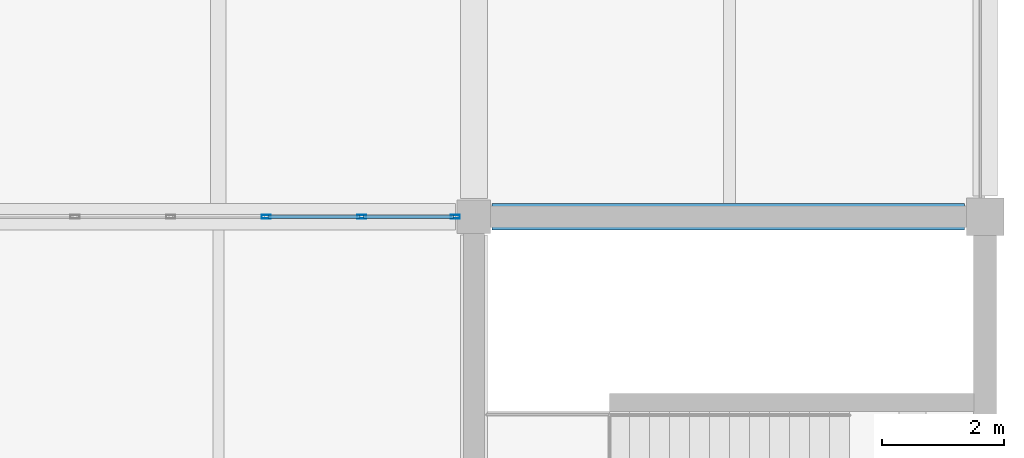
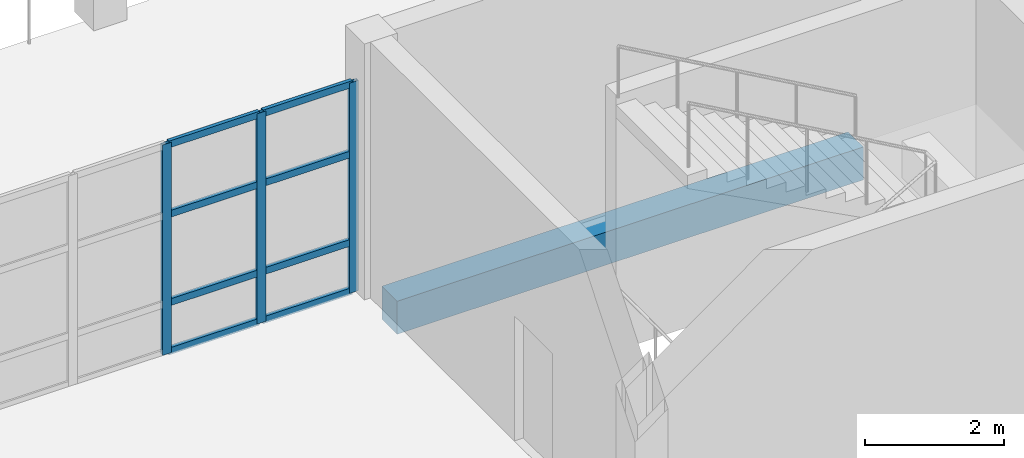
# One storey, part 28 of 67: 11 members, 1 beam, 1 element without a shape of its own.
"""IFC4 building model written with IfcOpenShell, lengths in metres."""

import ifcopenshell
import ifcopenshell.guid

model = None  # the IFC model being written
_history = None  # IfcOwnerHistory: only IFC2X3 demands one
_inside = {}  # id of a spatial element -> (the spatial element, [elements in it])
_under = {}  # id of a project, library or spatial element -> (it, [spatial elements below it])
_declared = {}  # id of a project -> (the project, [libraries it declares])
_typed = {}  # id of a type object -> (the type object, [elements of that type])
_made_of = {}  # id of a material, layer set ... -> (it, [elements and type objects made of it])


def new_model(schema):
    """Start an empty IFC model of exactly this schema.

    Asked for "IFC4X3", IfcOpenShell would pick the latest addendum, in which some entities
    have other attributes; the version numbers below select the first issue.
    IFC2X3 requires an IfcOwnerHistory on every rooted entity: one is made here for all.
    """
    global model, _history
    if schema == "IFC4X3":
        model = ifcopenshell.file(schema_version=(4, 3, 0, 0))
    else:
        model = ifcopenshell.file(schema=schema)
    _inside.clear()
    _under.clear()
    _declared.clear()
    _typed.clear()
    _made_of.clear()
    _history = None
    if model.schema == "IFC2X3":
        org = make("IfcOrganization", Name="unknown")
        user = make(
            "IfcPersonAndOrganization",
            ThePerson=make("IfcPerson", FamilyName="unknown"),
            TheOrganization=org,
        )
        app = make(
            "IfcApplication",
            ApplicationDeveloper=org,
            Version="unknown",
            ApplicationFullName="unknown",
            ApplicationIdentifier="unknown",
        )
        _history = make(
            "IfcOwnerHistory",
            OwningUser=user,
            OwningApplication=app,
            ChangeAction="ADDED",
            CreationDate=0,
        )
    return model


def make(cls, **values):
    """One entity of the class cls with the attributes given. An attribute that is None is left unset."""
    return model.create_entity(
        cls, **{name: value for name, value in values.items() if value is not None}
    )


def rooted(cls, **values):
    """An entity with a GlobalId (a new one), such as an element, a storey or a relation."""
    return make(cls, GlobalId=ifcopenshell.guid.new(), OwnerHistory=_history, **values)


def si_unit(unit_type, name, prefix=None):
    """IfcSIUnit, for example si_unit("LENGTHUNIT", "METRE", prefix="MILLI")."""
    return make("IfcSIUnit", UnitType=unit_type, Prefix=prefix, Name=name)


def assignment(units):
    """IfcUnitAssignment: the units of a project."""
    return None if units is None else make("IfcUnitAssignment", Units=units)


def point(xyz):
    """IfcCartesianPoint."""
    return None if xyz is None else make("IfcCartesianPoint", Coordinates=xyz)


def direction(xyz):
    """IfcDirection."""
    return None if xyz is None else make("IfcDirection", DirectionRatios=xyz)


def frame(location, z_axis=None, x_axis=None):
    """IfcAxis2Placement3D, a coordinate frame: its origin and axes. An axis left out is left unset."""
    return make(
        "IfcAxis2Placement3D",
        Location=point(location),
        Axis=direction(z_axis),
        RefDirection=direction(x_axis),
    )


def frame_2d(location, x_axis=None):
    """IfcAxis2Placement2D, a coordinate frame in the plane: its origin and x axis."""
    return make(
        "IfcAxis2Placement2D", Location=point(location), RefDirection=direction(x_axis)
    )


def origin():
    """The frame at (0, 0, 0) with its axes left unset."""
    return frame((0.0, 0.0, 0.0))


def origin_2d():
    """The frame at (0, 0) in the plane with its x axis left unset."""
    return frame_2d((0.0, 0.0))


def place(relative_to, where):
    """IfcLocalPlacement: puts the frame where relative to a parent placement (None: the world)."""
    return make(
        "IfcLocalPlacement", PlacementRelTo=relative_to, RelativePlacement=where
    )


def context(
    kind, dimensions, precision=None, world=None, true_north=None, identifier=None
):
    """IfcGeometricRepresentationContext, for example the 3D "Model" context."""
    return make(
        "IfcGeometricRepresentationContext",
        ContextIdentifier=identifier,
        ContextType=kind,
        CoordinateSpaceDimension=dimensions,
        Precision=precision,
        WorldCoordinateSystem=world,
        TrueNorth=true_north,
    )


def subcontext(parent, identifier, kind, view, scale=None):
    """IfcGeometricRepresentationSubContext, for example "Body" below "Model"."""
    return make(
        "IfcGeometricRepresentationSubContext",
        ContextIdentifier=identifier,
        ContextType=kind,
        ParentContext=parent,
        TargetScale=scale,
        TargetView=view,
    )


def project(units=None, contexts=None):
    """IfcProject with its units and contexts."""
    return rooted(
        "IfcProject",
        Name="project",
        RepresentationContexts=contexts,
        UnitsInContext=assignment(units),
    )


def spatial(cls, under=None, at=None, **own):
    """A site, building, storey or space (cls), placed at a placement, below another one or the project."""
    s = rooted(cls, ObjectPlacement=at, **own)
    if under is not None:
        _under.setdefault(under.id(), (under, []))[1].append(s)
    return s


def profile(cls, at=None, kind="AREA", **sizes):
    """A parametric profile (cls). Its sizes go by their IFC names, for example OverallWidth=200.0."""
    return make(cls, ProfileType=kind, Position=at, **sizes)


def rectangle(**sizes):
    """IfcRectangleProfileDef."""
    return profile("IfcRectangleProfileDef", **sizes)


def hollow_rectangle(**sizes):
    """IfcRectangleHollowProfileDef."""
    return profile("IfcRectangleHollowProfileDef", **sizes)


def extrude(swept, where, along, depth):
    """IfcExtrudedAreaSolid: the profile swept, set in the frame where, extruded along a direction by depth."""
    return make(
        "IfcExtrudedAreaSolid",
        SweptArea=swept,
        Position=where,
        ExtrudedDirection=direction(along),
        Depth=depth,
    )


def shape(context_of_items, identifier, shape_type, items):
    """IfcShapeRepresentation: the items that make up one representation, for example the "Body"."""
    return make(
        "IfcShapeRepresentation",
        ContextOfItems=context_of_items,
        RepresentationIdentifier=identifier,
        RepresentationType=shape_type,
        Items=items,
    )


def material(Name=None, Category=None):
    """IfcMaterial."""
    return make("IfcMaterial", Name=Name, Category=Category)


def material_profile(
    of_material, cross_section, Name=None, Category=None, Priority=None
):
    """IfcMaterialProfile: a cross section and its material."""
    return make(
        "IfcMaterialProfile",
        Name=Name,
        Material=of_material,
        Profile=cross_section,
        Priority=Priority,
        Category=Category,
    )


def profile_set(profiles, Name=None, composite=None):
    """IfcMaterialProfileSet."""
    return make(
        "IfcMaterialProfileSet",
        Name=Name,
        MaterialProfiles=profiles,
        CompositeProfile=composite,
    )


def made_of(thing, what):
    """Note that an element or type object is made of a material, layer set ...; save() writes the relation."""
    if what is not None:
        _made_of.setdefault(what.id(), (what, []))[1].append(thing)
    return thing


def type_object(cls, material=None, **own):
    """A type object (cls), such as IfcWallType, which elements share."""
    return made_of(rooted(cls, **own), material)


def element(
    cls,
    number,
    at=None,
    inside=None,
    cuts=None,
    type_object=None,
    material=None,
    context=None,
    identifier="Body",
    shape_type=None,
    held_by="IfcProductDefinitionShape",
    body=None,
    shapes=None,
    **own,
):
    """One element of the class cls, such as IfcWall. Its Tag is "e" and its number.

    at: its placement. inside: the storey or other place that contains it. cuts: it is an
    opening in that element (IfcRelVoidsElement). A single representation is given by context,
    identifier, shape_type and body (its items); several are given by shapes. held_by: the class
    of the entity that holds the representations. save() writes the other relations.
    """
    e = rooted(cls, Tag="e%d" % number, ObjectPlacement=at, **own)
    if body is not None:
        shapes = [shape(context, identifier, shape_type, body)]
    if shapes is not None:
        e.Representation = make(held_by, Representations=shapes)
    if inside is not None:
        _inside.setdefault(inside.id(), (inside, []))[1].append(e)
    if cuts is not None:
        rooted(
            "IfcRelVoidsElement", RelatingBuildingElement=cuts, RelatedOpeningElement=e
        )
    if type_object is not None:
        _typed.setdefault(type_object.id(), (type_object, []))[1].append(e)
    return made_of(e, material)


def aggregate(whole, parts):
    """IfcRelAggregates: a whole, such as a stair, and the parts it consists of."""
    return rooted("IfcRelAggregates", RelatingObject=whole, RelatedObjects=parts)


def save(model, path):
    """Write the relations noted so far, then the file.

    IfcRelAggregates (storeys below a building ...), IfcRelContainedInSpatialStructure (elements
    in a storey), IfcRelDefinesByType, IfcRelAssociatesMaterial and IfcRelDeclares: one each for
    every whole, place, type object, material and project.
    """
    for whole, parts in _under.values():
        aggregate(whole, parts)
    for where, things in _inside.values():
        rooted(
            "IfcRelContainedInSpatialStructure",
            RelatedElements=things,
            RelatingStructure=where,
        )
    for kind, things in _typed.values():
        rooted("IfcRelDefinesByType", RelatedObjects=things, RelatingType=kind)
    for what, things in _made_of.values():
        rooted("IfcRelAssociatesMaterial", RelatedObjects=things, RelatingMaterial=what)
    for by, libraries in _declared.values():
        rooted("IfcRelDeclares", RelatingContext=by, RelatedDefinitions=libraries)
    model.write(path)


model = new_model("IFC4")

# Units and contexts
model_context = context("Model", 3, precision=1e-05, world=origin(), true_north=direction((0.0, 1.0)))
body_context = subcontext(model_context, "Body", "Model", "MODEL_VIEW")
ifc_project = project(units=[si_unit("LENGTHUNIT", "METRE"), si_unit("AREAUNIT", "SQUARE_METRE"), si_unit("VOLUMEUNIT", "CUBIC_METRE"), si_unit("PLANEANGLEUNIT", "RADIAN"), si_unit("MASSUNIT", "GRAM", prefix="KILO")], contexts=[model_context])

# Site, building, storey
site_placement = place(None, origin())
site = spatial("IfcSite", under=ifc_project, at=site_placement, CompositionType="ELEMENT")
building_placement = place(site_placement, origin())
building = spatial("IfcBuilding", under=site, at=building_placement, Name="Pellamere Symphony Hall", CompositionType="ELEMENT")
storey_placement = place(building_placement, frame((0.0, 0.0, 19.5)))
storey = spatial("IfcBuildingStorey", under=building, at=storey_placement, Name="L04", CompositionType="ELEMENT", Elevation=19.5)

# Curtain wall, members
ifc_material_1 = material(Name="Thermally Broken Anodised Aluminium 6063-T6 Curtain Wall", Category="aluminium")
curtain_wall_type = type_object("IfcCurtainWallType", Name="Curtain Wall CW-05 (Artists Wing North Studio Ribbon Curtain Wall)", PredefinedType="NOTDEFINED", material=ifc_material_1)
curtain_wall_placement = place(storey_placement, origin())
curtain_wall = element("IfcCurtainWall", 1, at=curtain_wall_placement, inside=storey, type_object=curtain_wall_type, Name="Artists Wing North Studio Curtain Wall (L04 Bay 2)", PredefinedType="NOTDEFINED")
ifc_material_2 = material(Name="Anodised Architectural Aluminium 6063-T6", Category="aluminium")
ifc_material_profile_1 = material_profile(ifc_material_2, hollow_rectangle(XDim=0.06005859375, YDim=0.14990234375, WallThickness=0.00390625, at=origin_2d()), Name="ALU-M60X150X4")
ifc_profile_set_1 = profile_set([ifc_material_profile_1], Name="Anodised Architectural Aluminium 6063-T6")
member_type_1 = type_object("IfcMemberType", Name="Curtain Wall Mullion ML-03 ALU-M60X150X4", PredefinedType="MULLION", material=ifc_profile_set_1)
member_1_placement = place(storey_placement, frame((160.985107421875, 77.39990234375, 0.0), z_axis=(0.0, 0.0, 1.0), x_axis=(0.0, 1.0, 0.0)))
member_1 = element("IfcMember", 2, at=member_1_placement, type_object=member_type_1, Name="CW5-145 crystal mullion 4", PredefinedType="MULLION", context=body_context, shape_type="SweptSolid", body=[
    extrude(hollow_rectangle(XDim=0.06005859375, YDim=0.14990234375, WallThickness=0.00390625, at=origin_2d()), origin(), (0.0, 0.0, 1.0), 3.699951171875),
])
member_2_placement = place(storey_placement, frame((162.554931640625, 77.39990234375, 0.0), z_axis=(0.0, 0.0, 1.0), x_axis=(0.0, 1.0, 0.0)))
member_2 = element("IfcMember", 3, at=member_2_placement, type_object=member_type_1, Name="CW5-145 crystal mullion 5", PredefinedType="MULLION", context=body_context, shape_type="SweptSolid", body=[
    extrude(hollow_rectangle(XDim=0.06005859375, YDim=0.14990234375, WallThickness=0.00390625, at=origin_2d()), origin(), (0.0, 0.0, 1.0), 3.699951171875),
])
member_3_placement = place(storey_placement, frame((164.094970703125, 77.39990234375, 0.0), z_axis=(0.0, 0.0, 1.0), x_axis=(0.0, 1.0, 0.0)))
member_3 = element("IfcMember", 4, at=member_3_placement, type_object=member_type_1, Name="CW5-145 crystal mullion 6", PredefinedType="MULLION", context=body_context, shape_type="SweptSolid", body=[
    extrude(hollow_rectangle(XDim=0.06005859375, YDim=0.14990234375, WallThickness=0.00390625, at=origin_2d()), origin(), (0.0, 0.0, 1.0), 3.699951171875),
])
ifc_material_profile_2 = material_profile(ifc_material_2, hollow_rectangle(XDim=0.06005859375, YDim=0.1201171875, WallThickness=0.00390625, at=origin_2d()), Name="ALU-T60X120X4")
ifc_profile_set_2 = profile_set([ifc_material_profile_2], Name="Anodised Architectural Aluminium 6063-T6")
member_type_2 = type_object("IfcMemberType", Name="Curtain Wall Transom TR-03 ALU-T60X120X4", PredefinedType="USERDEFINED", material=ifc_profile_set_2)
member_4_placement = place(storey_placement, frame((161.014892578125, 77.39990234375, 0.030029296875), z_axis=(1.0, 0.0, 0.0), x_axis=(0.0, 1.0, 0.0)))
member_4 = element("IfcMember", 5, at=member_4_placement, type_object=member_type_2, Name="CW5-145 crystal transom 4.1", ObjectType="TRANSOM", PredefinedType="USERDEFINED", context=body_context, shape_type="SweptSolid", body=[
    extrude(hollow_rectangle(XDim=0.06005859375, YDim=0.1201171875, WallThickness=0.00390625, at=origin_2d()), origin(), (0.0, 0.0, 1.0), 1.510009765625),
])
member_5_placement = place(storey_placement, frame((161.014892578125, 77.39990234375, 0.887939453125), z_axis=(1.0, 0.0, 0.0), x_axis=(0.0, 1.0, 0.0)))
member_5 = element("IfcMember", 6, at=member_5_placement, type_object=member_type_2, Name="CW5-145 crystal transom 4.2", ObjectType="TRANSOM", PredefinedType="USERDEFINED", context=body_context, shape_type="SweptSolid", body=[
    extrude(hollow_rectangle(XDim=0.06005859375, YDim=0.1201171875, WallThickness=0.00390625, at=origin_2d()), origin(), (0.0, 0.0, 1.0), 1.510009765625),
])
member_6_placement = place(storey_placement, frame((161.014892578125, 77.39990234375, 2.44189453125), z_axis=(1.0, 0.0, 0.0), x_axis=(0.0, 1.0, 0.0)))
member_6 = element("IfcMember", 7, at=member_6_placement, type_object=member_type_2, Name="CW5-145 crystal transom 4.3", ObjectType="TRANSOM", PredefinedType="USERDEFINED", context=body_context, shape_type="SweptSolid", body=[
    extrude(hollow_rectangle(XDim=0.06005859375, YDim=0.1201171875, WallThickness=0.00390625, at=origin_2d()), origin(), (0.0, 0.0, 1.0), 1.510009765625),
])
member_7_placement = place(storey_placement, frame((161.014892578125, 77.39990234375, 3.669921875), z_axis=(1.0, 0.0, 0.0), x_axis=(0.0, 1.0, 0.0)))
member_7 = element("IfcMember", 8, at=member_7_placement, type_object=member_type_2, Name="CW5-145 crystal transom 4.4", ObjectType="TRANSOM", PredefinedType="USERDEFINED", context=body_context, shape_type="SweptSolid", body=[
    extrude(hollow_rectangle(XDim=0.06005859375, YDim=0.1201171875, WallThickness=0.00390625, at=origin_2d()), origin(), (0.0, 0.0, 1.0), 1.510009765625),
])
member_8_placement = place(storey_placement, frame((162.5849609375, 77.39990234375, 0.030029296875), z_axis=(1.0, 0.0, 0.0), x_axis=(0.0, 1.0, 0.0)))
member_8 = element("IfcMember", 9, at=member_8_placement, type_object=member_type_2, Name="CW5-145 crystal transom 5.1", ObjectType="TRANSOM", PredefinedType="USERDEFINED", context=body_context, shape_type="SweptSolid", body=[
    extrude(hollow_rectangle(XDim=0.06005859375, YDim=0.1201171875, WallThickness=0.00390625, at=origin_2d()), origin(), (0.0, 0.0, 1.0), 1.47998046875),
])
member_9_placement = place(storey_placement, frame((162.5849609375, 77.39990234375, 0.887939453125), z_axis=(1.0, 0.0, 0.0), x_axis=(0.0, 1.0, 0.0)))
member_9 = element("IfcMember", 10, at=member_9_placement, type_object=member_type_2, Name="CW5-145 crystal transom 5.2", ObjectType="TRANSOM", PredefinedType="USERDEFINED", context=body_context, shape_type="SweptSolid", body=[
    extrude(hollow_rectangle(XDim=0.06005859375, YDim=0.1201171875, WallThickness=0.00390625, at=origin_2d()), origin(), (0.0, 0.0, 1.0), 1.47998046875),
])
member_10_placement = place(storey_placement, frame((162.5849609375, 77.39990234375, 2.44189453125), z_axis=(1.0, 0.0, 0.0), x_axis=(0.0, 1.0, 0.0)))
member_10 = element("IfcMember", 11, at=member_10_placement, type_object=member_type_2, Name="CW5-145 crystal transom 5.3", ObjectType="TRANSOM", PredefinedType="USERDEFINED", context=body_context, shape_type="SweptSolid", body=[
    extrude(hollow_rectangle(XDim=0.06005859375, YDim=0.1201171875, WallThickness=0.00390625, at=origin_2d()), origin(), (0.0, 0.0, 1.0), 1.47998046875),
])
member_11_placement = place(storey_placement, frame((162.5849609375, 77.39990234375, 3.669921875), z_axis=(1.0, 0.0, 0.0), x_axis=(0.0, 1.0, 0.0)))
member_11 = element("IfcMember", 12, at=member_11_placement, type_object=member_type_2, Name="CW5-145 crystal transom 5.4", ObjectType="TRANSOM", PredefinedType="USERDEFINED", context=body_context, shape_type="SweptSolid", body=[
    extrude(hollow_rectangle(XDim=0.06005859375, YDim=0.1201171875, WallThickness=0.00390625, at=origin_2d()), origin(), (0.0, 0.0, 1.0), 1.47998046875),
])
aggregate(curtain_wall, [member_1, member_2, member_3, member_4, member_5, member_6, member_7, member_8, member_9, member_10, member_11])

# Beam
ifc_material_3 = material(Name="Concrete 40 MPa", Category="concrete")
ifc_material_profile_3 = material_profile(ifc_material_3, rectangle(XDim=0.43994140625, YDim=0.580078125, at=origin_2d()), Name="RC 440x580")
ifc_profile_set_3 = profile_set([ifc_material_profile_3], Name="Concrete 40 MPa")
beam_type = type_object("IfcBeamType", Name="RC CB-20 440x580", PredefinedType="BEAM", material=ifc_profile_set_3)
beam_placement = place(storey_placement, frame((164.699951171875, 77.39990234375, -0.550048828125), z_axis=(1.0, 0.0, 0.0), x_axis=(0.0, 1.0, 0.0)))
element("IfcBeam", 13, at=beam_placement, inside=storey, type_object=beam_type, Name="Girder CB-20-X1863 (L04)", PredefinedType="BEAM", context=body_context, shape_type="SweptSolid", body=[
    extrude(rectangle(XDim=0.43994140625, YDim=0.580078125, at=origin_2d()), origin(), (0.0, 0.0, 1.0), 7.760009765625),
])

save(model, "model.ifc")
